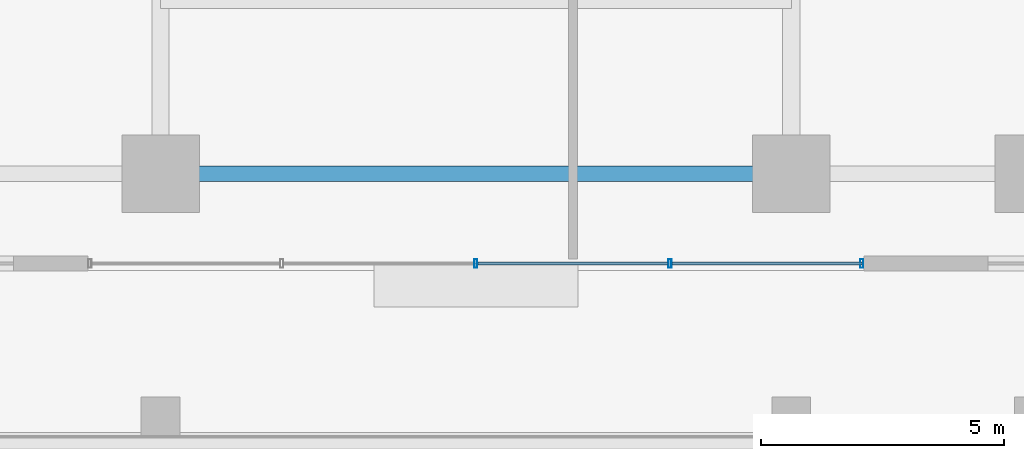
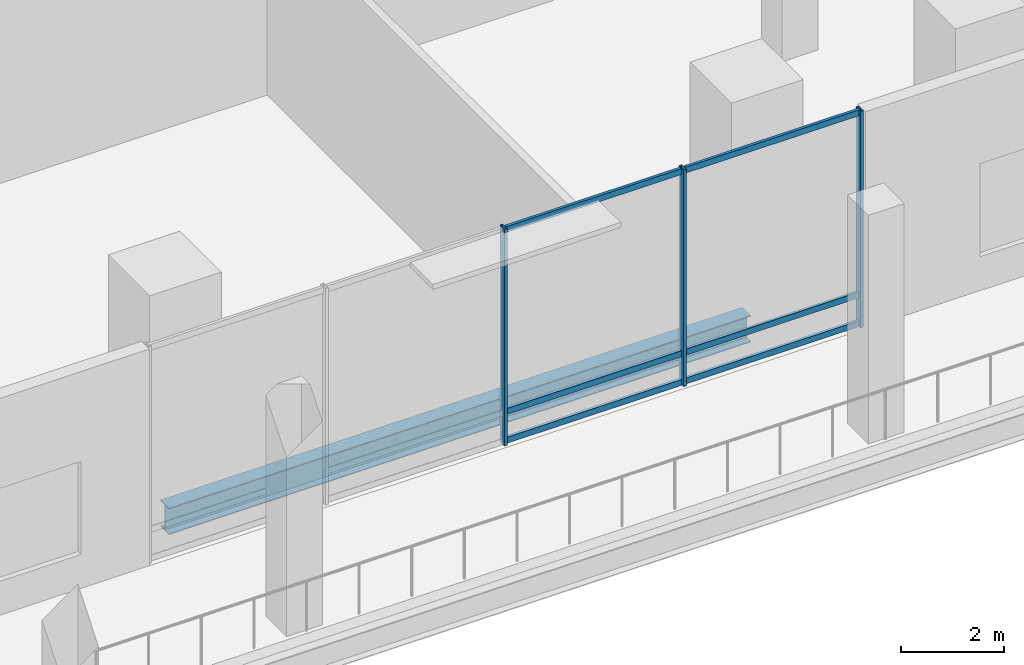
# One storey, part 7 of 36: 9 members, 1 beam, 1 element without a shape of its own.
"""IFC4 building model written with IfcOpenShell, lengths in metres."""

from ifc_helpers import new_model, si_unit, direction, frame, origin, origin_2d, place, context, subcontext, project, spatial, hollow_rectangle, i_section, extrude, material, layer, layer_set, material_profile, profile_set, type_object, element, aggregate, save


model = new_model("IFC4")

# Units and contexts
model_context = context("Model", 3, precision=1e-05, world=origin(), true_north=direction((0.0, 1.0)))
body_context = subcontext(model_context, "Body", "Model", "MODEL_VIEW")
ifc_project = project(units=[si_unit("LENGTHUNIT", "METRE"), si_unit("AREAUNIT", "SQUARE_METRE"), si_unit("VOLUMEUNIT", "CUBIC_METRE"), si_unit("PLANEANGLEUNIT", "RADIAN"), si_unit("MASSUNIT", "GRAM", prefix="KILO")], contexts=[model_context])

# Site, building, storey
site_placement = place(None, origin())
site = spatial("IfcSite", under=ifc_project, at=site_placement, CompositionType="ELEMENT")
building_placement = place(site_placement, origin())
building = spatial("IfcBuilding", under=site, at=building_placement, Name="Barlavira Tower and Art Museum", CompositionType="ELEMENT")
storey_placement = place(building_placement, frame((0.0, 0.0, 11.39990234375)))
storey = spatial("IfcBuildingStorey", under=building, at=storey_placement, Name="L02", CompositionType="ELEMENT", Elevation=11.39990234375)

# Curtain wall, members
ifc_material_1 = material(Name="Low-iron coastal laminated glass", Category="glass")
ifc_layer = layer(ifc_material_1, 0.179931640625, Name="Low-iron coastal laminated glass")
ifc_layer_set = layer_set([ifc_layer], Name="Low-iron coastal laminated glass")
curtain_wall_type = type_object("IfcCurtainWallType", Name="Pale-Metal Unitised Curtain Wall Zone 1", PredefinedType="NOTDEFINED", material=ifc_layer_set)
curtain_wall_placement = place(storey_placement, origin())
curtain_wall = element("IfcCurtainWall", 1, at=curtain_wall_placement, inside=storey, type_object=curtain_wall_type, Name="L02 Curtain Wall CW1-L02-S", PredefinedType="NOTDEFINED")
ifc_material_2 = material(Name="Pale anodised aluminium", Category="aluminium")
ifc_material_profile_1 = material_profile(ifc_material_2, hollow_rectangle(XDim=0.06494140625, YDim=0.179931640625, WallThickness=0.00390625, at=origin_2d()), Name="ALU-MULL 65x180x4")
ifc_profile_set_1 = profile_set([ifc_material_profile_1], Name="Pale anodised aluminium")
member_type_1 = type_object("IfcMemberType", Name="Curtain Wall Pale-Metal Mullion 65x180", PredefinedType="MULLION", material=ifc_profile_set_1)
member_1_placement = place(storey_placement, frame((0.0, -21.85009765625, 0.0), z_axis=(0.0, 0.0, 1.0), x_axis=(1.0, 0.0, 0.0)))
member_1 = element("IfcMember", 2, at=member_1_placement, type_object=member_type_1, Name="CW1-L02-S Mullion 2", PredefinedType="MULLION", context=body_context, shape_type="SweptSolid", body=[
    extrude(hollow_rectangle(XDim=0.06494140625, YDim=0.179931640625, WallThickness=0.00390625, at=origin_2d()), origin(), (0.0, 0.0, 1.0), 5.1201171875),
])
member_2_placement = place(storey_placement, frame((4.0, -21.85009765625, 0.0), z_axis=(0.0, 0.0, 1.0), x_axis=(1.0, 0.0, 0.0)))
member_2 = element("IfcMember", 3, at=member_2_placement, type_object=member_type_1, Name="CW1-L02-S Mullion 3", PredefinedType="MULLION", context=body_context, shape_type="SweptSolid", body=[
    extrude(hollow_rectangle(XDim=0.06494140625, YDim=0.179931640625, WallThickness=0.00390625, at=origin_2d()), origin(), (0.0, 0.0, 1.0), 5.1201171875),
])
member_3_placement = place(storey_placement, frame((7.955078125, -21.85009765625, 0.0), z_axis=(0.0, 0.0, 1.0), x_axis=(1.0, 0.0, 0.0)))
member_3 = element("IfcMember", 4, at=member_3_placement, type_object=member_type_1, Name="CW1-L02-S Mullion 4", PredefinedType="MULLION", context=body_context, shape_type="SweptSolid", body=[
    extrude(hollow_rectangle(XDim=0.06494140625, YDim=0.179931640625, WallThickness=0.00390625, at=origin_2d()), origin(), (0.0, 0.0, 1.0), 5.1201171875),
])
ifc_material_profile_2 = material_profile(ifc_material_2, hollow_rectangle(XDim=0.06494140625, YDim=0.139892578125, WallThickness=0.00390625, at=origin_2d()), Name="ALU-TRAN 65x140x4")
ifc_profile_set_2 = profile_set([ifc_material_profile_2], Name="Pale anodised aluminium")
member_type_2 = type_object("IfcMemberType", Name="Curtain Wall Pale-Metal Transom 65x140", PredefinedType="USERDEFINED", material=ifc_profile_set_2)
member_4_placement = place(storey_placement, frame((0.044921875, -21.85009765625, 0.070068359375), z_axis=(1.0, 0.0, 0.0), x_axis=(0.0, 1.0, 0.0)))
member_4 = element("IfcMember", 5, at=member_4_placement, type_object=member_type_2, Name="CW1-L02-S Transom 2.1", ObjectType="TRANSOM", PredefinedType="USERDEFINED", context=body_context, shape_type="SweptSolid", body=[
    extrude(hollow_rectangle(XDim=0.06494140625, YDim=0.139892578125, WallThickness=0.00390625, at=origin_2d()), origin(), (0.0, 0.0, 1.0), 3.91015625),
])
member_5_placement = place(storey_placement, frame((0.044921875, -21.85009765625, 0.75), z_axis=(1.0, 0.0, 0.0), x_axis=(0.0, 1.0, 0.0)))
member_5 = element("IfcMember", 6, at=member_5_placement, type_object=member_type_2, Name="CW1-L02-S Transom 2.2", ObjectType="TRANSOM", PredefinedType="USERDEFINED", context=body_context, shape_type="SweptSolid", body=[
    extrude(hollow_rectangle(XDim=0.06494140625, YDim=0.139892578125, WallThickness=0.00390625, at=origin_2d()), origin(), (0.0, 0.0, 1.0), 3.91015625),
])
member_6_placement = place(storey_placement, frame((0.044921875, -21.85009765625, 5.050048828125), z_axis=(1.0, 0.0, 0.0), x_axis=(0.0, 1.0, 0.0)))
member_6 = element("IfcMember", 7, at=member_6_placement, type_object=member_type_2, Name="CW1-L02-S Transom 2.3", ObjectType="TRANSOM", PredefinedType="USERDEFINED", context=body_context, shape_type="SweptSolid", body=[
    extrude(hollow_rectangle(XDim=0.06494140625, YDim=0.139892578125, WallThickness=0.00390625, at=origin_2d()), origin(), (0.0, 0.0, 1.0), 3.91015625),
])
member_7_placement = place(storey_placement, frame((4.044921875, -21.85009765625, 0.070068359375), z_axis=(1.0, 0.0, 0.0), x_axis=(0.0, 1.0, 0.0)))
member_7 = element("IfcMember", 8, at=member_7_placement, type_object=member_type_2, Name="CW1-L02-S Transom 3.1", ObjectType="TRANSOM", PredefinedType="USERDEFINED", context=body_context, shape_type="SweptSolid", body=[
    extrude(hollow_rectangle(XDim=0.06494140625, YDim=0.139892578125, WallThickness=0.00390625, at=origin_2d()), origin(), (0.0, 0.0, 1.0), 3.91015625),
])
member_8_placement = place(storey_placement, frame((4.044921875, -21.85009765625, 0.75), z_axis=(1.0, 0.0, 0.0), x_axis=(0.0, 1.0, 0.0)))
member_8 = element("IfcMember", 9, at=member_8_placement, type_object=member_type_2, Name="CW1-L02-S Transom 3.2", ObjectType="TRANSOM", PredefinedType="USERDEFINED", context=body_context, shape_type="SweptSolid", body=[
    extrude(hollow_rectangle(XDim=0.06494140625, YDim=0.139892578125, WallThickness=0.00390625, at=origin_2d()), origin(), (0.0, 0.0, 1.0), 3.91015625),
])
member_9_placement = place(storey_placement, frame((4.044921875, -21.85009765625, 5.050048828125), z_axis=(1.0, 0.0, 0.0), x_axis=(0.0, 1.0, 0.0)))
member_9 = element("IfcMember", 10, at=member_9_placement, type_object=member_type_2, Name="CW1-L02-S Transom 3.3", ObjectType="TRANSOM", PredefinedType="USERDEFINED", context=body_context, shape_type="SweptSolid", body=[
    extrude(hollow_rectangle(XDim=0.06494140625, YDim=0.139892578125, WallThickness=0.00390625, at=origin_2d()), origin(), (0.0, 0.0, 1.0), 3.91015625),
])
aggregate(curtain_wall, [member_1, member_2, member_3, member_4, member_5, member_6, member_7, member_8, member_9])

# Beam
ifc_material_3 = material(Name="Steel S355", Category="steel")
ifc_material_profile_3 = material_profile(ifc_material_3, i_section(OverallWidth=0.327880859375, OverallDepth=0.62890625, WebThickness=0.013916015625, FlangeThickness=0.021484375, at=origin_2d()), Name="W610x174.0")
ifc_profile_set_3 = profile_set([ifc_material_profile_3], Name="Steel S355")
beam_type = type_object("IfcBeamType", Name="Perimeter Spandrel Edge Beam W610x174 Steel S355", PredefinedType="SPANDREL", material=ifc_profile_set_3)
beam_placement = place(storey_placement, frame((-6.5, -20.0, -0.594482421875), z_axis=(1.0, 0.0, 0.0), x_axis=(0.0, 1.0, 0.0)))
element("IfcBeam", 11, at=beam_placement, inside=storey, type_object=beam_type, Name="L02 Podium Spandrel PS3", PredefinedType="SPANDREL", context=body_context, shape_type="SweptSolid", body=[
    extrude(i_section(OverallWidth=0.327880859375, OverallDepth=0.62890625, WebThickness=0.013916015625, FlangeThickness=0.021484375, at=origin_2d()), origin(), (0.0, 0.0, 1.0), 13.0),
])

save(model, "model.ifc")
